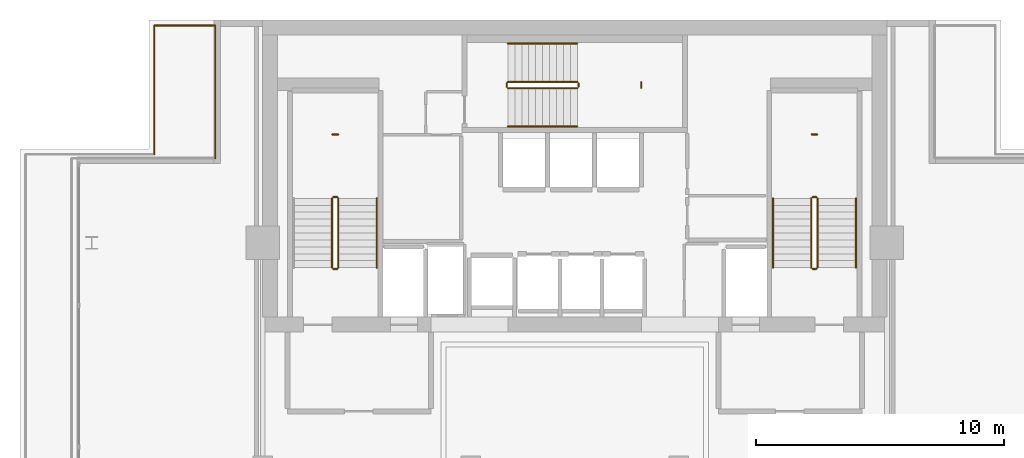
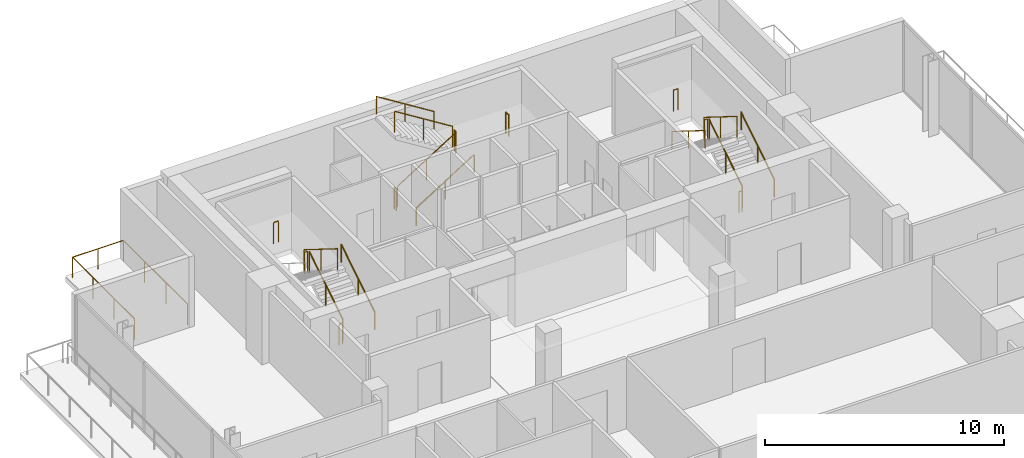
# One storey, part 20 of 21: 23 railings.
"""IFC4 building model written with IfcOpenShell, lengths in metres."""

from ifc_helpers import new_model, si_unit, direction, frame, origin, origin_2d, place, context, subcontext, project, spatial, circle, extrude, material, type_object, element, save


model = new_model("IFC4")

# Units and contexts
model_context = context("Model", 3, precision=1e-05, world=origin(), true_north=direction((0.0, 1.0)))
body_context = subcontext(model_context, "Body", "Model", "MODEL_VIEW")
ifc_project = project(units=[si_unit("LENGTHUNIT", "METRE"), si_unit("AREAUNIT", "SQUARE_METRE"), si_unit("VOLUMEUNIT", "CUBIC_METRE"), si_unit("PLANEANGLEUNIT", "RADIAN"), si_unit("MASSUNIT", "GRAM", prefix="KILO")], contexts=[model_context])

# Site, building, storey
site_placement = place(None, origin())
site = spatial("IfcSite", under=ifc_project, at=site_placement, CompositionType="ELEMENT")
building_placement = place(site_placement, origin())
building = spatial("IfcBuilding", under=site, at=building_placement, Name="Maruvema Waterfront Hotel and Observation Tower", CompositionType="ELEMENT")
storey_placement = place(building_placement, frame((0.0, 0.0, 322.0)))
storey = spatial("IfcBuildingStorey", under=building, at=storey_placement, Name="L79", CompositionType="ELEMENT", Elevation=322.0)

# Railings
ifc_material_1 = material(Name="Brushed stainless steel Grade 316", Category="steel")
railing_type_1 = type_object("IfcRailingType", Name="Ramp Continuous Wall Handrail 920 mm", PredefinedType="HANDRAIL", material=ifc_material_1)
railing_1_placement = place(storey_placement, frame((29.800048828125, 44.0, 0.175048828125)))
element("IfcRailing", 1, at=railing_1_placement, inside=storey, type_object=railing_type_1, Name="L79 ST-01 stair handrail 1", PredefinedType="HANDRAIL", context=body_context, shape_type="SweptSolid", body=[
    extrude(circle(Radius=0.02392578125, at=origin_2d()), frame((0.0, 0.0, 0.89599609375), z_axis=(0.0, 0.848002457836, 0.529992293815), x_axis=(-1.0, 0.0, 0.0)), (0.0, 0.0, 1.0), 3.302001953125),
    extrude(circle(Radius=0.02099609375, at=origin_2d()), origin(), (0.0, 0.0, 1.0), 0.871826171875),
    extrude(circle(Radius=0.02099609375, at=origin_2d()), frame((0.0, 1.39990234375, 0.875)), (0.0, 0.0, 1.0), 0.871826171875),
    extrude(circle(Radius=0.02099609375, at=origin_2d()), frame((0.0, 2.800048828125, 1.75)), (0.0, 0.0, 1.0), 0.871826171875),
])
railing_2_placement = place(storey_placement, frame((35.10009765625, 49.699951171875, 0.175048828125)))
element("IfcRailing", 2, at=railing_2_placement, inside=storey, type_object=railing_type_1, Name="L79 ST-02 stair handrail 1", PredefinedType="HANDRAIL", context=body_context, shape_type="SweptSolid", body=[
    extrude(circle(Radius=0.02392578125, at=origin_2d()), frame((0.0, 0.0, 0.89599609375), z_axis=(0.847981687118, 0.0, 0.530025526095), x_axis=(0.0, 1.0, 0.0)), (0.0, 0.0, 1.0), 3.3017578125),
    extrude(circle(Radius=0.02099609375, at=origin_2d()), origin(), (0.0, 0.0, 1.0), 0.871826171875),
    extrude(circle(Radius=0.02099609375, at=origin_2d()), frame((1.39990234375, 0.0, 0.875)), (0.0, 0.0, 1.0), 0.871826171875),
    extrude(circle(Radius=0.02099609375, at=origin_2d()), frame((2.7998046875, 0.0, 1.75)), (0.0, 0.0, 1.0), 0.871826171875),
])
railing_3_placement = place(storey_placement, frame((37.89990234375, 53.050048828125, 2.10009765625)))
element("IfcRailing", 3, at=railing_3_placement, inside=storey, type_object=railing_type_1, Name="L79 ST-02 stair handrail 2", PredefinedType="HANDRAIL", context=body_context, shape_type="SweptSolid", body=[
    extrude(circle(Radius=0.02392578125, at=origin_2d()), frame((0.0, 0.0, 0.89599609375), z_axis=(-0.847981687118, 0.0, 0.530025526095), x_axis=(0.0, -1.0, 0.0)), (0.0, 0.0, 1.0), 3.3017578125),
    extrude(circle(Radius=0.02099609375, at=origin_2d()), origin(), (0.0, 0.0, 1.0), 0.871826171875),
    extrude(circle(Radius=0.02099609375, at=origin_2d()), frame((-1.39990234375, 0.0, 0.875)), (0.0, 0.0, 1.0), 0.871826171875),
    extrude(circle(Radius=0.02099609375, at=origin_2d()), frame((-2.7998046875, 0.0, 1.75)), (0.0, 0.0, 1.0), 0.871826171875),
])
railing_4_placement = place(storey_placement, frame((49.14990234375, 44.0, 0.175048828125)))
element("IfcRailing", 4, at=railing_4_placement, inside=storey, type_object=railing_type_1, Name="L79 ST-03 stair handrail 1", PredefinedType="HANDRAIL", context=body_context, shape_type="SweptSolid", body=[
    extrude(circle(Radius=0.02392578125, at=origin_2d()), frame((0.0, 0.0, 0.89599609375), z_axis=(0.0, 0.848002457836, 0.529992293815), x_axis=(-1.0, 0.0, 0.0)), (0.0, 0.0, 1.0), 3.302001953125),
    extrude(circle(Radius=0.02099609375, at=origin_2d()), origin(), (0.0, 0.0, 1.0), 0.871826171875),
    extrude(circle(Radius=0.02099609375, at=origin_2d()), frame((0.0, 1.39990234375, 0.875)), (0.0, 0.0, 1.0), 0.871826171875),
    extrude(circle(Radius=0.02099609375, at=origin_2d()), frame((0.0, 2.800048828125, 1.75)), (0.0, 0.0, 1.0), 0.871826171875),
])
railing_5_placement = place(storey_placement, frame((45.800048828125, 46.800048828125, 2.10009765625)))
element("IfcRailing", 5, at=railing_5_placement, inside=storey, type_object=railing_type_1, Name="L79 ST-03 stair handrail 2", PredefinedType="HANDRAIL", context=body_context, shape_type="SweptSolid", body=[
    extrude(circle(Radius=0.02392578125, at=origin_2d()), frame((0.0, 0.0, 0.89599609375), z_axis=(0.0, -0.848002457836, 0.529992293815), x_axis=(1.0, 0.0, 0.0)), (0.0, 0.0, 1.0), 3.302001953125),
    extrude(circle(Radius=0.02099609375, at=origin_2d()), origin(), (0.0, 0.0, 1.0), 0.871826171875),
    extrude(circle(Radius=0.02099609375, at=origin_2d()), frame((0.0, -1.39990234375, 0.875)), (0.0, 0.0, 1.0), 0.871826171875),
    extrude(circle(Radius=0.02099609375, at=origin_2d()), frame((0.0, -2.800048828125, 1.75)), (0.0, 0.0, 1.0), 0.871826171875),
])
ifc_material_2 = material(Name="Brushed stainless steel Grade 316", Category="steel")
railing_type_2 = type_object("IfcRailingType", Name="Ramp and Terrace Guard Balustrade 1100 mm", PredefinedType="BALUSTRADE", material=ifc_material_2)
railing_6_placement = place(storey_placement, frame((28.25, 44.0, 0.175048828125)))
element("IfcRailing", 6, at=railing_6_placement, inside=storey, type_object=railing_type_2, Name="L79 ST-01 stair guard 1", PredefinedType="BALUSTRADE", context=body_context, shape_type="SweptSolid", body=[
    extrude(circle(Radius=0.02392578125, at=origin_2d()), frame((0.0, 0.0, 1.076171875), z_axis=(0.0, 0.848002457836, 0.529992293815), x_axis=(-1.0, 0.0, 0.0)), (0.0, 0.0, 1.0), 3.302001953125),
    extrude(circle(Radius=0.02099609375, at=origin_2d()), origin(), (0.0, 0.0, 1.0), 1.052001953125),
    extrude(circle(Radius=0.02099609375, at=origin_2d()), frame((0.0, 1.39990234375, 0.875)), (0.0, 0.0, 1.0), 1.052001953125),
    extrude(circle(Radius=0.02099609375, at=origin_2d()), frame((0.0, 2.800048828125, 1.75)), (0.0, 0.0, 1.0), 1.052001953125),
])
railing_7_placement = place(storey_placement, frame((28.199951171875, 46.85009765625, 1.925048828125)))
element("IfcRailing", 7, at=railing_7_placement, inside=storey, type_object=railing_type_2, Name="L79 ST-01 stair guard 2", PredefinedType="BALUSTRADE", context=body_context, shape_type="SweptSolid", body=[
    extrude(circle(Radius=0.02392578125, at=origin_2d()), frame((0.0, 0.0, 1.076171875), z_axis=(-1.0, 0.0, 0.0), x_axis=(0.0, -1.0, 0.0)), (0.0, 0.0, 1.0), 0.14990234375),
    extrude(circle(Radius=0.02099609375, at=origin_2d()), origin(), (0.0, 0.0, 1.0), 1.052001953125),
    extrude(circle(Radius=0.02099609375, at=origin_2d()), frame((-0.14990234375, 0.0, 0.0)), (0.0, 0.0, 1.0), 1.052001953125),
])
railing_8_placement = place(storey_placement, frame((28.0, 46.800048828125, 2.10009765625)))
element("IfcRailing", 8, at=railing_8_placement, inside=storey, type_object=railing_type_2, Name="L79 ST-01 stair guard 3", PredefinedType="BALUSTRADE", context=body_context, shape_type="SweptSolid", body=[
    extrude(circle(Radius=0.02392578125, at=origin_2d()), frame((0.0, 0.0, 1.076171875), z_axis=(0.0, -0.848002457836, 0.529992293815), x_axis=(1.0, 0.0, 0.0)), (0.0, 0.0, 1.0), 3.302001953125),
    extrude(circle(Radius=0.02099609375, at=origin_2d()), origin(), (0.0, 0.0, 1.0), 1.052001953125),
    extrude(circle(Radius=0.02099609375, at=origin_2d()), frame((0.0, -1.39990234375, 0.875)), (0.0, 0.0, 1.0), 1.052001953125),
    extrude(circle(Radius=0.02099609375, at=origin_2d()), frame((0.0, -2.800048828125, 1.75)), (0.0, 0.0, 1.0), 1.052001953125),
])
railing_9_placement = place(storey_placement, frame((28.199951171875, 43.949951171875, 0.0)))
element("IfcRailing", 9, at=railing_9_placement, inside=storey, type_object=railing_type_2, Name="L79 ST-01 stair guard 4", PredefinedType="BALUSTRADE", context=body_context, shape_type="SweptSolid", body=[
    extrude(circle(Radius=0.02392578125, at=origin_2d()), frame((0.0, 0.0, 1.076171875), z_axis=(-1.0, 0.0, 0.0), x_axis=(0.0, -1.0, 0.0)), (0.0, 0.0, 1.0), 0.14990234375),
    extrude(circle(Radius=0.02099609375, at=origin_2d()), origin(), (0.0, 0.0, 1.0), 1.052001953125),
    extrude(circle(Radius=0.02099609375, at=origin_2d()), frame((-0.14990234375, 0.0, 0.0)), (0.0, 0.0, 1.0), 1.052001953125),
])
railing_10_placement = place(storey_placement, frame((28.239990234375, 49.3798828125, 1.925048828125)))
element("IfcRailing", 10, at=railing_10_placement, inside=storey, type_object=railing_type_2, Name="L79 ST-01 Half-Landing Slot Guard", PredefinedType="BALUSTRADE", context=body_context, shape_type="SweptSolid", body=[
    extrude(circle(Radius=0.02392578125, at=origin_2d()), frame((0.0, 0.0, 1.076171875), z_axis=(-1.0, 0.0, 0.0), x_axis=(0.0, -1.0, 0.0)), (0.0, 0.0, 1.0), 0.22998046875),
    extrude(circle(Radius=0.02099609375, at=origin_2d()), origin(), (0.0, 0.0, 1.0), 1.052001953125),
    extrude(circle(Radius=0.02099609375, at=origin_2d()), frame((-0.22998046875, 0.0, 0.0)), (0.0, 0.0, 1.0), 1.052001953125),
])
railing_11_placement = place(storey_placement, frame((35.10009765625, 51.25, 0.175048828125)))
element("IfcRailing", 11, at=railing_11_placement, inside=storey, type_object=railing_type_2, Name="L79 ST-02 stair guard 1", PredefinedType="BALUSTRADE", context=body_context, shape_type="SweptSolid", body=[
    extrude(circle(Radius=0.02392578125, at=origin_2d()), frame((0.0, 0.0, 1.076171875), z_axis=(0.847981687118, 0.0, 0.530025526095), x_axis=(0.0, 1.0, 0.0)), (0.0, 0.0, 1.0), 3.3017578125),
    extrude(circle(Radius=0.02099609375, at=origin_2d()), origin(), (0.0, 0.0, 1.0), 1.052001953125),
    extrude(circle(Radius=0.02099609375, at=origin_2d()), frame((1.39990234375, 0.0, 0.875)), (0.0, 0.0, 1.0), 1.052001953125),
    extrude(circle(Radius=0.02099609375, at=origin_2d()), frame((2.7998046875, 0.0, 1.75)), (0.0, 0.0, 1.0), 1.052001953125),
])
railing_12_placement = place(storey_placement, frame((37.949951171875, 51.300048828125, 1.925048828125)))
element("IfcRailing", 12, at=railing_12_placement, inside=storey, type_object=railing_type_2, Name="L79 ST-02 stair guard 2", PredefinedType="BALUSTRADE", context=body_context, shape_type="SweptSolid", body=[
    extrude(circle(Radius=0.02392578125, at=origin_2d()), frame((0.0, 0.0, 1.076171875), z_axis=(0.0, 1.0, 0.0), x_axis=(-1.0, 0.0, 0.0)), (0.0, 0.0, 1.0), 0.14990234375),
    extrude(circle(Radius=0.02099609375, at=origin_2d()), origin(), (0.0, 0.0, 1.0), 1.052001953125),
    extrude(circle(Radius=0.02099609375, at=origin_2d()), frame((0.0, 0.14990234375, 0.0)), (0.0, 0.0, 1.0), 1.052001953125),
])
railing_13_placement = place(storey_placement, frame((37.89990234375, 51.5, 2.10009765625)))
element("IfcRailing", 13, at=railing_13_placement, inside=storey, type_object=railing_type_2, Name="L79 ST-02 stair guard 3", PredefinedType="BALUSTRADE", context=body_context, shape_type="SweptSolid", body=[
    extrude(circle(Radius=0.02392578125, at=origin_2d()), frame((0.0, 0.0, 1.076171875), z_axis=(-0.847981687118, 0.0, 0.530025526095), x_axis=(0.0, -1.0, 0.0)), (0.0, 0.0, 1.0), 3.3017578125),
    extrude(circle(Radius=0.02099609375, at=origin_2d()), origin(), (0.0, 0.0, 1.0), 1.052001953125),
    extrude(circle(Radius=0.02099609375, at=origin_2d()), frame((-1.39990234375, 0.0, 0.875)), (0.0, 0.0, 1.0), 1.052001953125),
    extrude(circle(Radius=0.02099609375, at=origin_2d()), frame((-2.7998046875, 0.0, 1.75)), (0.0, 0.0, 1.0), 1.052001953125),
])
railing_14_placement = place(storey_placement, frame((35.050048828125, 51.300048828125, 0.0)))
element("IfcRailing", 14, at=railing_14_placement, inside=storey, type_object=railing_type_2, Name="L79 ST-02 stair guard 4", PredefinedType="BALUSTRADE", context=body_context, shape_type="SweptSolid", body=[
    extrude(circle(Radius=0.02392578125, at=origin_2d()), frame((0.0, 0.0, 1.076171875), z_axis=(0.0, 1.0, 0.0), x_axis=(-1.0, 0.0, 0.0)), (0.0, 0.0, 1.0), 0.14990234375),
    extrude(circle(Radius=0.02099609375, at=origin_2d()), origin(), (0.0, 0.0, 1.0), 1.052001953125),
    extrude(circle(Radius=0.02099609375, at=origin_2d()), frame((0.0, 0.14990234375, 0.0)), (0.0, 0.0, 1.0), 1.052001953125),
])
railing_15_placement = place(storey_placement, frame((40.47998046875, 51.260009765625, 1.925048828125)))
element("IfcRailing", 15, at=railing_15_placement, inside=storey, type_object=railing_type_2, Name="L79 ST-02 Half-Landing Slot Guard", PredefinedType="BALUSTRADE", context=body_context, shape_type="SweptSolid", body=[
    extrude(circle(Radius=0.02392578125, at=origin_2d()), frame((0.0, 0.0, 1.076171875), z_axis=(0.0, 1.0, 0.0), x_axis=(-1.0, 0.0, 0.0)), (0.0, 0.0, 1.0), 0.22998046875),
    extrude(circle(Radius=0.02099609375, at=origin_2d()), origin(), (0.0, 0.0, 1.0), 1.052001953125),
    extrude(circle(Radius=0.02099609375, at=origin_2d()), frame((0.0, 0.22998046875, 0.0)), (0.0, 0.0, 1.0), 1.052001953125),
])
railing_16_placement = place(storey_placement, frame((47.60009765625, 44.0, 0.175048828125)))
element("IfcRailing", 16, at=railing_16_placement, inside=storey, type_object=railing_type_2, Name="L79 ST-03 stair guard 1", PredefinedType="BALUSTRADE", context=body_context, shape_type="SweptSolid", body=[
    extrude(circle(Radius=0.02392578125, at=origin_2d()), frame((0.0, 0.0, 1.076171875), z_axis=(0.0, 0.848002457836, 0.529992293815), x_axis=(-1.0, 0.0, 0.0)), (0.0, 0.0, 1.0), 3.302001953125),
    extrude(circle(Radius=0.02099609375, at=origin_2d()), origin(), (0.0, 0.0, 1.0), 1.052001953125),
    extrude(circle(Radius=0.02099609375, at=origin_2d()), frame((0.0, 1.39990234375, 0.875)), (0.0, 0.0, 1.0), 1.052001953125),
    extrude(circle(Radius=0.02099609375, at=origin_2d()), frame((0.0, 2.800048828125, 1.75)), (0.0, 0.0, 1.0), 1.052001953125),
])
railing_17_placement = place(storey_placement, frame((47.550048828125, 46.85009765625, 1.925048828125)))
element("IfcRailing", 17, at=railing_17_placement, inside=storey, type_object=railing_type_2, Name="L79 ST-03 stair guard 2", PredefinedType="BALUSTRADE", context=body_context, shape_type="SweptSolid", body=[
    extrude(circle(Radius=0.02392578125, at=origin_2d()), frame((0.0, 0.0, 1.076171875), z_axis=(-1.0, 0.0, 0.0), x_axis=(0.0, -1.0, 0.0)), (0.0, 0.0, 1.0), 0.150146484375),
    extrude(circle(Radius=0.02099609375, at=origin_2d()), origin(), (0.0, 0.0, 1.0), 1.052001953125),
    extrude(circle(Radius=0.02099609375, at=origin_2d()), frame((-0.150146484375, 0.0, 0.0)), (0.0, 0.0, 1.0), 1.052001953125),
])
railing_18_placement = place(storey_placement, frame((47.35009765625, 46.800048828125, 2.10009765625)))
element("IfcRailing", 18, at=railing_18_placement, inside=storey, type_object=railing_type_2, Name="L79 ST-03 stair guard 3", PredefinedType="BALUSTRADE", context=body_context, shape_type="SweptSolid", body=[
    extrude(circle(Radius=0.02392578125, at=origin_2d()), frame((0.0, 0.0, 1.076171875), z_axis=(0.0, -0.848002457836, 0.529992293815), x_axis=(1.0, 0.0, 0.0)), (0.0, 0.0, 1.0), 3.302001953125),
    extrude(circle(Radius=0.02099609375, at=origin_2d()), origin(), (0.0, 0.0, 1.0), 1.052001953125),
    extrude(circle(Radius=0.02099609375, at=origin_2d()), frame((0.0, -1.39990234375, 0.875)), (0.0, 0.0, 1.0), 1.052001953125),
    extrude(circle(Radius=0.02099609375, at=origin_2d()), frame((0.0, -2.800048828125, 1.75)), (0.0, 0.0, 1.0), 1.052001953125),
])
railing_19_placement = place(storey_placement, frame((47.550048828125, 43.949951171875, 0.0)))
element("IfcRailing", 19, at=railing_19_placement, inside=storey, type_object=railing_type_2, Name="L79 ST-03 stair guard 4", PredefinedType="BALUSTRADE", context=body_context, shape_type="SweptSolid", body=[
    extrude(circle(Radius=0.02392578125, at=origin_2d()), frame((0.0, 0.0, 1.076171875), z_axis=(-1.0, 0.0, 0.0), x_axis=(0.0, -1.0, 0.0)), (0.0, 0.0, 1.0), 0.150146484375),
    extrude(circle(Radius=0.02099609375, at=origin_2d()), origin(), (0.0, 0.0, 1.0), 1.052001953125),
    extrude(circle(Radius=0.02099609375, at=origin_2d()), frame((-0.150146484375, 0.0, 0.0)), (0.0, 0.0, 1.0), 1.052001953125),
])
railing_20_placement = place(storey_placement, frame((47.590087890625, 49.3798828125, 1.925048828125)))
element("IfcRailing", 20, at=railing_20_placement, inside=storey, type_object=railing_type_2, Name="L79 ST-03 Half-Landing Slot Guard", PredefinedType="BALUSTRADE", context=body_context, shape_type="SweptSolid", body=[
    extrude(circle(Radius=0.02392578125, at=origin_2d()), frame((0.0, 0.0, 1.076171875), z_axis=(-1.0, 0.0, 0.0), x_axis=(0.0, -1.0, 0.0)), (0.0, 0.0, 1.0), 0.22998046875),
    extrude(circle(Radius=0.02099609375, at=origin_2d()), origin(), (0.0, 0.0, 1.0), 1.052001953125),
    extrude(circle(Radius=0.02099609375, at=origin_2d()), frame((-0.22998046875, 0.0, 0.0)), (0.0, 0.0, 1.0), 1.052001953125),
])
railing_21_placement = place(storey_placement, frame((20.820068359375, 48.580078125, 0.0)))
element("IfcRailing", 21, at=railing_21_placement, inside=storey, type_object=railing_type_2, Name="L79 Perimeter Safety Balustrade 11", PredefinedType="BALUSTRADE", context=body_context, shape_type="SweptSolid", body=[
    extrude(circle(Radius=0.02392578125, at=origin_2d()), frame((0.0, 0.0, 1.076171875), z_axis=(0.0, 1.0, 0.0), x_axis=(-1.0, 0.0, 0.0)), (0.0, 0.0, 1.0), 5.199951171875),
    extrude(circle(Radius=0.02099609375, at=origin_2d()), origin(), (0.0, 0.0, 1.0), 1.052001953125),
    extrude(circle(Radius=0.02099609375, at=origin_2d()), frame((0.0, 1.7333984375, 0.0)), (0.0, 0.0, 1.0), 1.052001953125),
    extrude(circle(Radius=0.02099609375, at=origin_2d()), frame((0.0, 3.466552734375, 0.0)), (0.0, 0.0, 1.0), 1.052001953125),
    extrude(circle(Radius=0.02099609375, at=origin_2d()), frame((0.0, 5.199951171875, 0.0)), (0.0, 0.0, 1.0), 1.052001953125),
])
railing_22_placement = place(storey_placement, frame((20.820068359375, 53.780029296875, 0.0)))
element("IfcRailing", 22, at=railing_22_placement, inside=storey, type_object=railing_type_2, Name="L79 Perimeter Safety Balustrade 12", PredefinedType="BALUSTRADE", context=body_context, shape_type="SweptSolid", body=[
    extrude(circle(Radius=0.02392578125, at=origin_2d()), frame((0.0, 0.0, 1.076171875), z_axis=(1.0, 0.0, 0.0), x_axis=(0.0, 1.0, 0.0)), (0.0, 0.0, 1.0), 2.4599609375),
    extrude(circle(Radius=0.02099609375, at=origin_2d()), origin(), (0.0, 0.0, 1.0), 1.052001953125),
    extrude(circle(Radius=0.02099609375, at=origin_2d()), frame((1.22998046875, 0.0, 0.0)), (0.0, 0.0, 1.0), 1.052001953125),
    extrude(circle(Radius=0.02099609375, at=origin_2d()), frame((2.4599609375, 0.0, 0.0)), (0.0, 0.0, 1.0), 1.052001953125),
])
railing_23_placement = place(storey_placement, frame((23.280029296875, 53.780029296875, 0.0)))
element("IfcRailing", 23, at=railing_23_placement, inside=storey, type_object=railing_type_2, Name="L79 Perimeter Safety Balustrade 13", PredefinedType="BALUSTRADE", context=body_context, shape_type="SweptSolid", body=[
    extrude(circle(Radius=0.02392578125, at=origin_2d()), frame((0.0, 0.0, 1.076171875), z_axis=(0.0, -1.0, 0.0), x_axis=(1.0, 0.0, 0.0)), (0.0, 0.0, 1.0), 5.360107421875),
    extrude(circle(Radius=0.02099609375, at=origin_2d()), origin(), (0.0, 0.0, 1.0), 1.052001953125),
    extrude(circle(Radius=0.02099609375, at=origin_2d()), frame((0.0, -1.78662109375, 0.0)), (0.0, 0.0, 1.0), 1.052001953125),
    extrude(circle(Radius=0.02099609375, at=origin_2d()), frame((0.0, -3.573486328125, 0.0)), (0.0, 0.0, 1.0), 1.052001953125),
    extrude(circle(Radius=0.02099609375, at=origin_2d()), frame((0.0, -5.360107421875, 0.0)), (0.0, 0.0, 1.0), 1.052001953125),
])

save(model, "model.ifc")
